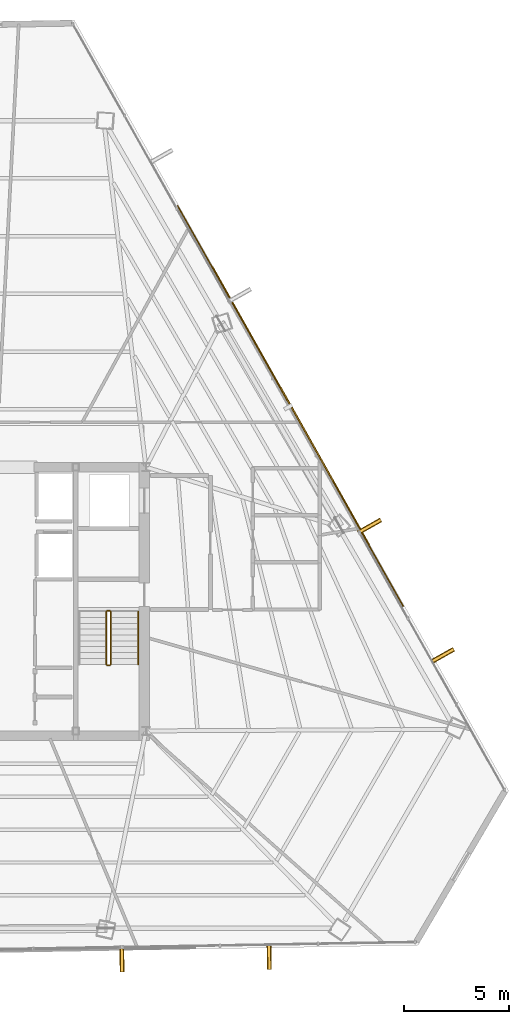
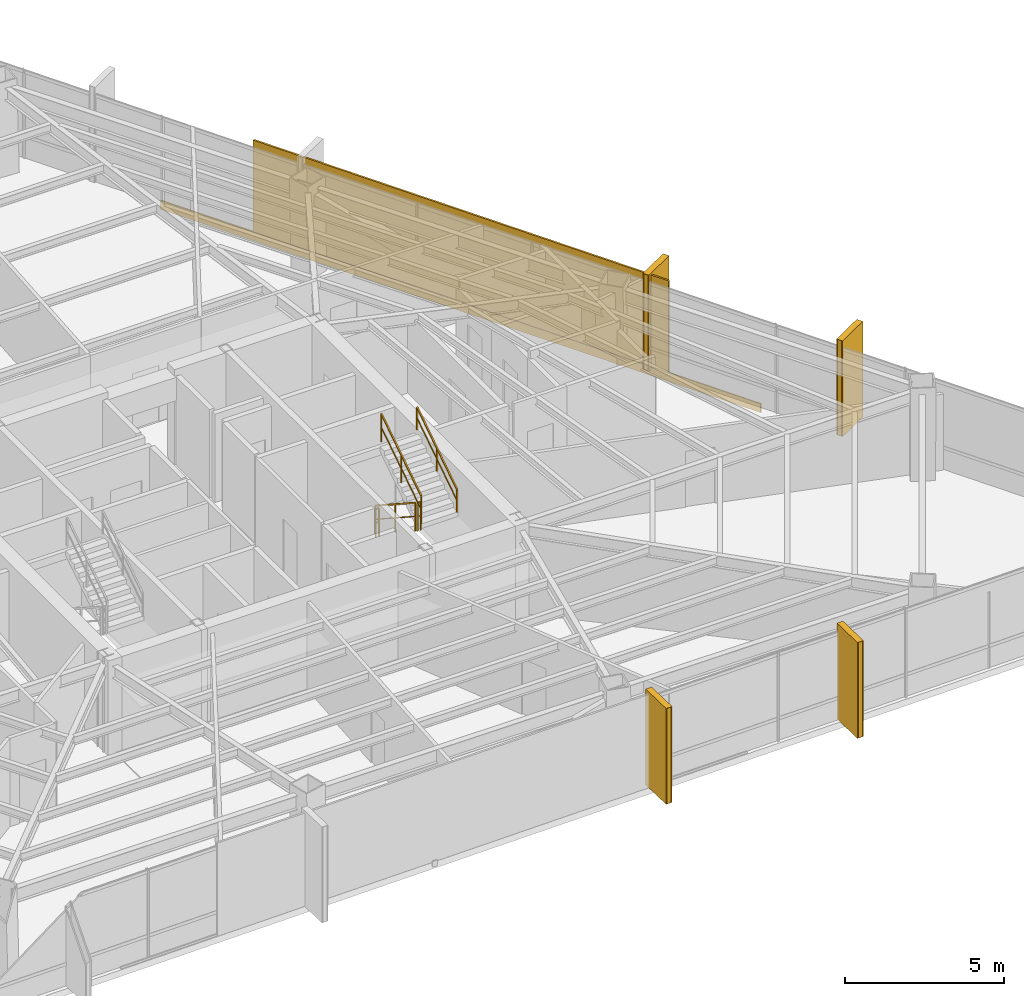
# One storey, part 41 of 42: 5 coverings, 5 railings, 5 shading devices.
"""IFC4 building model written with IfcOpenShell, lengths in metres."""

from ifc_helpers import new_model, si_unit, direction, frame, origin, origin_2d, place, context, subcontext, project, spatial, rectangle, extrude, source, transform, mapped, material, layer, layer_set, type_object, type_shapes, element, save


model = new_model("IFC4")

# Units and contexts
model_context = context("Model", 3, precision=1e-05, world=origin(), true_north=direction((0.0, 1.0)))
body_context = subcontext(model_context, "Body", "Model", "MODEL_VIEW")
ifc_project = project(units=[si_unit("LENGTHUNIT", "METRE"), si_unit("AREAUNIT", "SQUARE_METRE"), si_unit("VOLUMEUNIT", "CUBIC_METRE"), si_unit("PLANEANGLEUNIT", "RADIAN"), si_unit("MASSUNIT", "GRAM", prefix="KILO")], contexts=[model_context])

# Site, building, storey
site_placement = place(None, origin())
site = spatial("IfcSite", under=ifc_project, at=site_placement, CompositionType="ELEMENT")
building_placement = place(site_placement, origin())
building = spatial("IfcBuilding", under=site, at=building_placement, Name="Caelisora Broadcast Tower", CompositionType="ELEMENT")
storey_placement = place(building_placement, frame((0.0, 0.0, 184.050048828125)))
storey = spatial("IfcBuildingStorey", under=building, at=storey_placement, Name="L48", CompositionType="ELEMENT", Elevation=184.050048828125)

# Railings
ifc_material_1 = material(Name="Galvanised Steel Safety Guardrail", Category="steel")
ifc_layer_1 = layer(ifc_material_1, 0.048095703125, Name="Galvanised Steel Safety Guardrail")
ifc_layer_set_1 = layer_set([ifc_layer_1], Name="Galvanised Steel Safety Guardrail")
railing_type_1 = type_object("IfcRailingType", Name="GR-1", PredefinedType="GUARDRAIL", material=ifc_layer_set_1)
railing_1_placement = place(storey_placement, frame((43.610107421875, 23.10009765625, 0.182373046875)))
element("IfcRailing", 1, at=railing_1_placement, inside=storey, type_object=railing_type_1, Name="L48 ST-2 stair guard 1", PredefinedType="GUARDRAIL", context=body_context, shape_type="SweptSolid", body=[
    extrude(rectangle(XDim=0.048095703125, YDim=0.048095703125, at=origin_2d()), frame((0.0, 0.0, 1.076171875), z_axis=(0.0, -0.837749427056, 0.546054848405), x_axis=(1.0, 0.0, 0.0)), (0.0, 0.0, 1.0), 3.008056640625),
    extrude(rectangle(XDim=0.03125, YDim=0.03125, at=origin_2d()), frame((0.0, 0.0, 0.550048828125), z_axis=(0.0, -0.837749427056, 0.546054848405), x_axis=(1.0, 0.0, 0.0)), (0.0, 0.0, 1.0), 3.008056640625),
    extrude(rectangle(XDim=0.0419921875, YDim=0.0419921875, at=origin_2d()), origin(), (0.0, 0.0, 1.0), 1.052001953125),
    extrude(rectangle(XDim=0.0419921875, YDim=0.0419921875, at=origin_2d()), frame((0.0, -1.260009765625, 0.8212890625)), (0.0, 0.0, 1.0), 1.052001953125),
    extrude(rectangle(XDim=0.0419921875, YDim=0.0419921875, at=origin_2d()), frame((0.0, -2.52001953125, 1.642578125)), (0.0, 0.0, 1.0), 1.052001953125),
])
railing_2_placement = place(storey_placement, frame((43.659912109375, 20.530029296875, 1.824951171875)))
element("IfcRailing", 2, at=railing_2_placement, inside=storey, type_object=railing_type_1, Name="L48 ST-2 stair guard 2", PredefinedType="GUARDRAIL", context=body_context, shape_type="SweptSolid", body=[
    extrude(rectangle(XDim=0.048095703125, YDim=0.048095703125, at=origin_2d()), frame((0.0, 0.0, 1.076171875), z_axis=(1.0, 0.0, 0.0), x_axis=(0.0, 1.0, 0.0)), (0.0, 0.0, 1.0), 0.1201171875),
    extrude(rectangle(XDim=0.03125, YDim=0.03125, at=origin_2d()), frame((0.0, 0.0, 0.550048828125), z_axis=(1.0, 0.0, 0.0), x_axis=(0.0, 1.0, 0.0)), (0.0, 0.0, 1.0), 0.1201171875),
    extrude(rectangle(XDim=0.0419921875, YDim=0.0419921875, at=origin_2d()), origin(), (0.0, 0.0, 1.0), 1.052001953125),
    extrude(rectangle(XDim=0.0419921875, YDim=0.0419921875, at=origin_2d()), frame((0.1201171875, 0.0, 0.0)), (0.0, 0.0, 1.0), 1.052001953125),
])
railing_3_placement = place(storey_placement, frame((43.830078125, 20.580078125, 2.007568359375)))
element("IfcRailing", 3, at=railing_3_placement, inside=storey, type_object=railing_type_1, Name="L48 ST-2 stair guard 3", PredefinedType="GUARDRAIL", context=body_context, shape_type="SweptSolid", body=[
    extrude(rectangle(XDim=0.048095703125, YDim=0.048095703125, at=origin_2d()), frame((0.0, 0.0, 1.076171875), z_axis=(0.0, 0.837786554691, 0.545997883492), x_axis=(-1.0, 0.0, 0.0)), (0.0, 0.0, 1.0), 3.008056640625),
    extrude(rectangle(XDim=0.03125, YDim=0.03125, at=origin_2d()), frame((0.0, 0.0, 0.550048828125), z_axis=(0.0, 0.837786554691, 0.545997883492), x_axis=(-1.0, 0.0, 0.0)), (0.0, 0.0, 1.0), 3.008056640625),
    extrude(rectangle(XDim=0.0419921875, YDim=0.0419921875, at=origin_2d()), origin(), (0.0, 0.0, 1.0), 1.052001953125),
    extrude(rectangle(XDim=0.0419921875, YDim=0.0419921875, at=origin_2d()), frame((0.0, 1.260009765625, 0.8212890625)), (0.0, 0.0, 1.0), 1.052001953125),
    extrude(rectangle(XDim=0.0419921875, YDim=0.0419921875, at=origin_2d()), frame((0.0, 2.52001953125, 1.642333984375)), (0.0, 0.0, 1.0), 1.052001953125),
])
railing_4_placement = place(storey_placement, frame((43.659912109375, 23.14990234375, 0.0)))
element("IfcRailing", 4, at=railing_4_placement, inside=storey, type_object=railing_type_1, Name="L48 ST-2 stair guard 4", PredefinedType="GUARDRAIL", context=body_context, shape_type="SweptSolid", body=[
    extrude(rectangle(XDim=0.048095703125, YDim=0.048095703125, at=origin_2d()), frame((0.0, 0.0, 1.076171875), z_axis=(1.0, 0.0, 0.0), x_axis=(0.0, 1.0, 0.0)), (0.0, 0.0, 1.0), 0.1201171875),
    extrude(rectangle(XDim=0.03125, YDim=0.03125, at=origin_2d()), frame((0.0, 0.0, 0.550048828125), z_axis=(1.0, 0.0, 0.0), x_axis=(0.0, 1.0, 0.0)), (0.0, 0.0, 1.0), 0.1201171875),
    extrude(rectangle(XDim=0.0419921875, YDim=0.0419921875, at=origin_2d()), origin(), (0.0, 0.0, 1.0), 1.052001953125),
    extrude(rectangle(XDim=0.0419921875, YDim=0.0419921875, at=origin_2d()), frame((0.1201171875, 0.0, 0.0)), (0.0, 0.0, 1.0), 1.052001953125),
])
ifc_material_2 = material(Name="Stainless Steel Grade 316 Tubular Handrail", Category="steel")
ifc_layer_2 = layer(ifc_material_2, 0.048095703125, Name="Stainless Steel Grade 316 Tubular Handrail")
ifc_layer_set_2 = layer_set([ifc_layer_2], Name="Stainless Steel Grade 316 Tubular Handrail")
railing_type_2 = type_object("IfcRailingType", Name="HR-1", PredefinedType="HANDRAIL", material=ifc_layer_set_2)
railing_5_placement = place(storey_placement, frame((45.1298828125, 20.580078125, 2.007568359375)))
element("IfcRailing", 5, at=railing_5_placement, inside=storey, type_object=railing_type_2, Name="L48 ST-2 stair handrail 2", PredefinedType="HANDRAIL", context=body_context, shape_type="SweptSolid", body=[
    extrude(rectangle(XDim=0.048095703125, YDim=0.048095703125, at=origin_2d()), frame((0.0, 0.0, 0.8759765625), z_axis=(0.0, 0.837786554691, 0.545997883492), x_axis=(-1.0, 0.0, 0.0)), (0.0, 0.0, 1.0), 3.008056640625),
    extrude(rectangle(XDim=0.03125, YDim=0.03125, at=origin_2d()), frame((0.0, 0.0, 0.449951171875), z_axis=(0.0, 0.837786554691, 0.545997883492), x_axis=(-1.0, 0.0, 0.0)), (0.0, 0.0, 1.0), 3.008056640625),
    extrude(rectangle(XDim=0.0419921875, YDim=0.0419921875, at=origin_2d()), origin(), (0.0, 0.0, 1.0), 0.851806640625),
    extrude(rectangle(XDim=0.0419921875, YDim=0.0419921875, at=origin_2d()), frame((0.0, 1.260009765625, 0.8212890625)), (0.0, 0.0, 1.0), 0.851806640625),
    extrude(rectangle(XDim=0.0419921875, YDim=0.0419921875, at=origin_2d()), frame((0.0, 2.52001953125, 1.642333984375)), (0.0, 0.0, 1.0), 0.851806640625),
])

# Coverings
ifc_material_3 = material(Name="Kiln-Fired Terracotta Spandrel Rainscreen Cladding", Category="ceramic")
ifc_layer_3 = layer(ifc_material_3, 0.044921875, Name="Kiln-Fired Terracotta Spandrel Rainscreen Cladding")
ifc_layer_set_3 = layer_set([ifc_layer_3], Name="Kiln-Fired Terracotta Spandrel Rainscreen Cladding")
covering_type = type_object("IfcCoveringType", Name="CL-1", PredefinedType="CLADDING", material=ifc_layer_set_3)
shared_shape_1 = source(origin(), body_context, "Body", "SweptSolid", [
    extrude(rectangle(XDim=0.219970703125, YDim=1.25, at=origin_2d()), origin(), (0.0, 0.0, 1.0), 3.68994140625),
])
for number, where, z_axis, x_axis, name in (
    (6, (56.181396484375, 27.17333984375, -0.02001953125), (0.0, 0.0, 1.0), (0.491055801632, -0.871128118983, 0.0), "L48 vertical solar fin cladding #1-3"),
    (7, (59.66455078125, 20.9951171875, -0.02001953125), (0.0, 0.0, 1.0), (0.491055801632, -0.871128118983, 0.0), "L48 vertical solar fin cladding #1-4"),
    (8, (51.38916015625, 6.626708984375, -0.02001953125), (0.0, 0.0, 1.0), (-0.999847695156, -0.017452406437, 0.0), "L48 vertical solar fin cladding #2-1"),
    (9, (44.3544921875, 6.50341796875, -0.02001953125), (0.0, 0.0, 1.0), (-0.999847695156, -0.017452406437, 0.0), "L48 vertical solar fin cladding #2-2"),
):
    element("IfcCovering", number, at=place(storey_placement, frame(where, z_axis=z_axis, x_axis=x_axis)), inside=storey, type_object=covering_type, Name=name, PredefinedType="CLADDING", context=body_context, shape_type="MappedRepresentation", body=[
        mapped(shared_shape_1, transform((0.0, 0.0, 0.0), scale=1.0)),
    ])

# Shading devices
ifc_material_4 = material(Name="Extruded Terracotta Flaring Colonnade Fin", Category="ceramic")
ifc_layer_4 = layer(ifc_material_4, 0.139892578125, Name="Extruded Terracotta Flaring Colonnade Fin")
ifc_layer_set_4 = layer_set([ifc_layer_4], Name="Extruded Terracotta Flaring Colonnade Fin")
shading_device_type_1 = type_object("IfcShadingDeviceType", Name="FN-1", PredefinedType="USERDEFINED", material=ifc_layer_set_4)
shared_shape_2 = source(origin(), body_context, "Body", "SweptSolid", [
    extrude(rectangle(XDim=0.139892578125, YDim=1.25, at=origin_2d()), origin(), (0.0, 0.0, 1.0), 3.669921875),
])
type_shapes(shading_device_type_1, [shared_shape_2])
for number, where, z_axis, x_axis, name in (
    (10, (56.181396484375, 27.17333984375, -0.010009765625), (0.0, 0.0, 1.0), (0.491055801632, -0.871128118983, 0.0), "L48 vertical terracotta fin #1-3"),
    (11, (59.66455078125, 20.9951171875, -0.010009765625), (0.0, 0.0, 1.0), (0.491055801632, -0.871128118983, 0.0), "L48 vertical terracotta fin #1-4"),
    (12, (51.38916015625, 6.626708984375, -0.010009765625), (0.0, 0.0, 1.0), (-0.999847695156, -0.017452406437, 0.0), "L48 vertical terracotta fin #2-1"),
    (13, (44.3544921875, 6.50341796875, -0.010009765625), (0.0, 0.0, 1.0), (-0.999847695156, -0.017452406437, 0.0), "L48 vertical terracotta fin #2-2"),
):
    element("IfcShadingDevice", number, at=place(storey_placement, frame(where, z_axis=z_axis, x_axis=x_axis)), inside=storey, type_object=shading_device_type_1, Name=name, ObjectType="FIN", PredefinedType="USERDEFINED", context=body_context, shape_type="MappedRepresentation", body=[
        mapped(shared_shape_2, transform((0.0, 0.0, 0.0), scale=1.0)),
    ])
ifc_material_5 = material(Name="Perforated Glazed Terracotta Baguette Solar Screen", Category="ceramic")
ifc_layer_5 = layer(ifc_material_5, 0.06494140625, Name="Perforated Glazed Terracotta Baguette Solar Screen")
ifc_layer_set_5 = layer_set([ifc_layer_5], Name="Perforated Glazed Terracotta Baguette Solar Screen")
shading_device_type_2 = type_object("IfcShadingDeviceType", Name="SS-1", PredefinedType="USERDEFINED", material=ifc_layer_set_5)
shared_shape_3 = source(origin(), body_context, "Body", "SweptSolid", [
    extrude(rectangle(XDim=15.216064453125, YDim=0.06494140625, at=origin_2d()), origin(), (0.0, 0.0, 1.0), 3.590087890625),
])
type_shapes(shading_device_type_2, [shared_shape_3])
shading_device_placement = place(storey_placement, frame((52.419677734375, 32.929443359375, 0.0), z_axis=(0.0, 0.0, 1.0), x_axis=(-0.491055801632, 0.871128118983, 0.0)))
element("IfcShadingDevice", 14, at=shading_device_placement, inside=storey, type_object=shading_device_type_2, Name="L48 perforated terracotta solar screen #3", ObjectType="SOLAR SCREEN", PredefinedType="USERDEFINED", context=body_context, shape_type="MappedRepresentation", body=[
    mapped(shared_shape_3, transform((0.0, 0.0, 0.0), scale=1.0)),
])

# Covering
shared_shape_4 = source(origin(), body_context, "Body", "SweptSolid", [
    extrude(rectangle(XDim=21.97802734375, YDim=0.044921875, at=origin_2d()), origin(), (0.0, 0.0, 1.0), 0.340087890625),
])
type_shapes(covering_type, [shared_shape_1, shared_shape_4])
covering_placement = place(storey_placement, frame((52.402099609375, 32.91943359375, -0.27001953125), z_axis=(0.0, 0.0, 1.0), x_axis=(-0.491055801632, 0.871128118983, 0.0)))
element("IfcCovering", 15, at=covering_placement, inside=storey, type_object=covering_type, Name="L48 terracotta spandrel rainscreen #3", PredefinedType="CLADDING", context=body_context, shape_type="MappedRepresentation", body=[
    mapped(shared_shape_4, transform((0.0, 0.0, 0.0), scale=1.0)),
])

save(model, "model.ifc")
